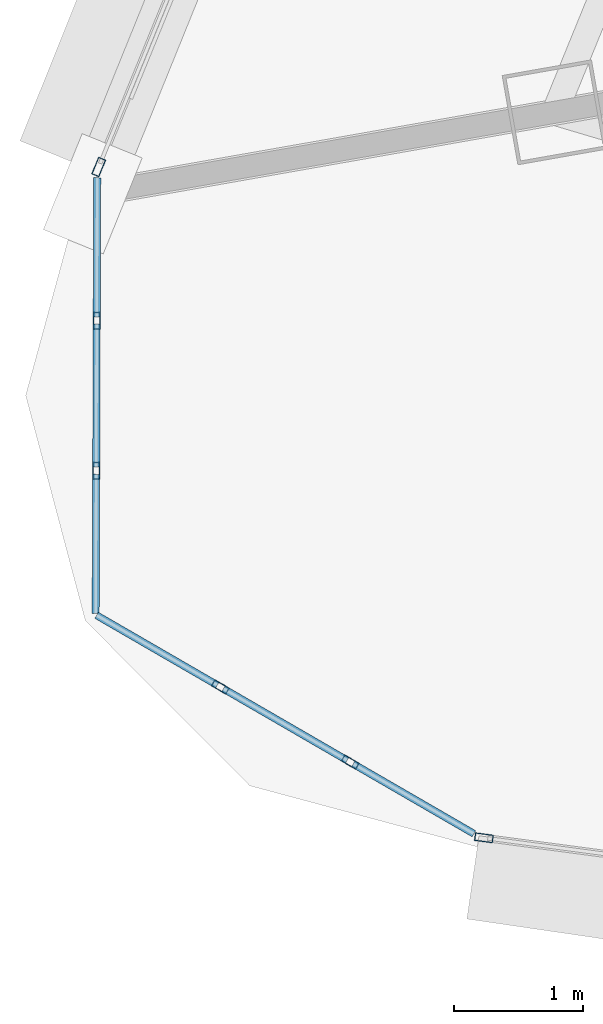
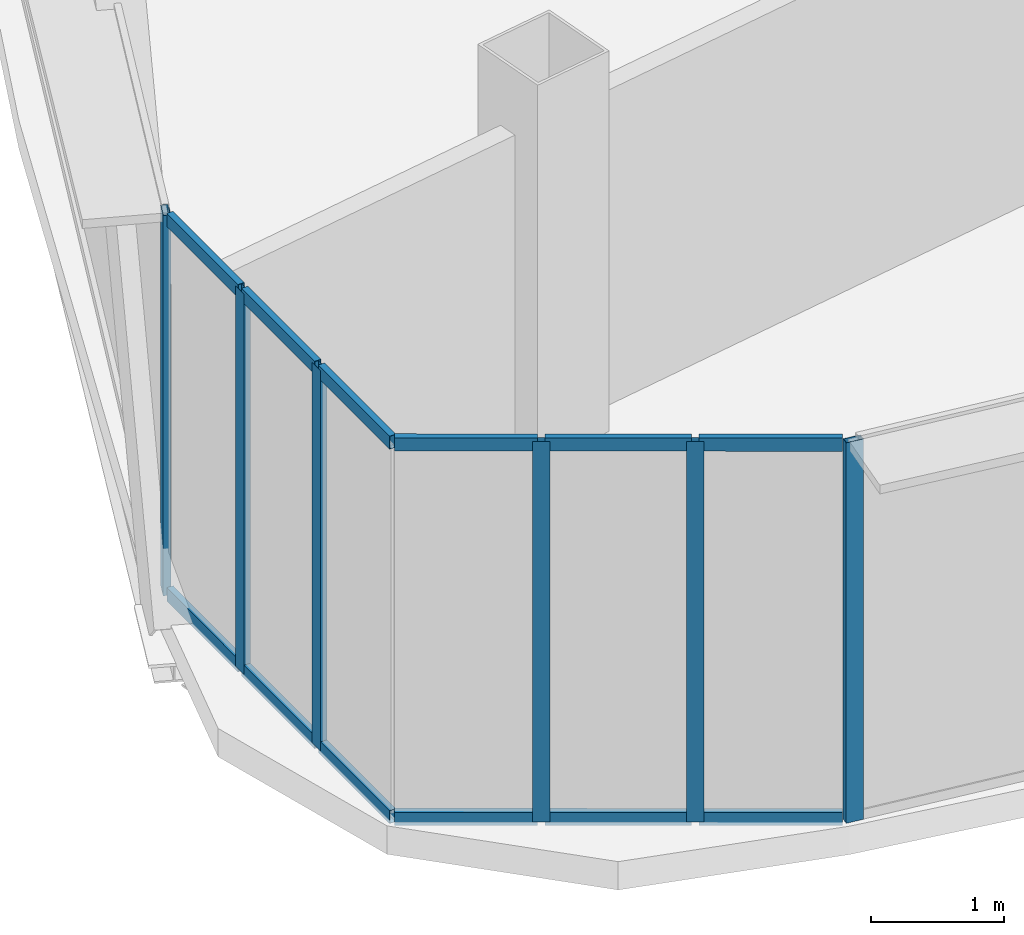
# One storey, part 2 of 28: 18 members, 4 elements without a shape of their own.
"""IFC4 building model written with IfcOpenShell, lengths in metres."""

import ifcopenshell
import ifcopenshell.guid

model = None  # the IFC model being written
_history = None  # IfcOwnerHistory: only IFC2X3 demands one
_inside = {}  # id of a spatial element -> (the spatial element, [elements in it])
_under = {}  # id of a project, library or spatial element -> (it, [spatial elements below it])
_declared = {}  # id of a project -> (the project, [libraries it declares])
_typed = {}  # id of a type object -> (the type object, [elements of that type])
_made_of = {}  # id of a material, layer set ... -> (it, [elements and type objects made of it])


def new_model(schema):
    """Start an empty IFC model of exactly this schema.

    Asked for "IFC4X3", IfcOpenShell would pick the latest addendum, in which some entities
    have other attributes; the version numbers below select the first issue.
    IFC2X3 requires an IfcOwnerHistory on every rooted entity: one is made here for all.
    """
    global model, _history
    if schema == "IFC4X3":
        model = ifcopenshell.file(schema_version=(4, 3, 0, 0))
    else:
        model = ifcopenshell.file(schema=schema)
    _inside.clear()
    _under.clear()
    _declared.clear()
    _typed.clear()
    _made_of.clear()
    _history = None
    if model.schema == "IFC2X3":
        org = make("IfcOrganization", Name="unknown")
        user = make(
            "IfcPersonAndOrganization",
            ThePerson=make("IfcPerson", FamilyName="unknown"),
            TheOrganization=org,
        )
        app = make(
            "IfcApplication",
            ApplicationDeveloper=org,
            Version="unknown",
            ApplicationFullName="unknown",
            ApplicationIdentifier="unknown",
        )
        _history = make(
            "IfcOwnerHistory",
            OwningUser=user,
            OwningApplication=app,
            ChangeAction="ADDED",
            CreationDate=0,
        )
    return model


def make(cls, **values):
    """One entity of the class cls with the attributes given. An attribute that is None is left unset."""
    return model.create_entity(
        cls, **{name: value for name, value in values.items() if value is not None}
    )


def rooted(cls, **values):
    """An entity with a GlobalId (a new one), such as an element, a storey or a relation."""
    return make(cls, GlobalId=ifcopenshell.guid.new(), OwnerHistory=_history, **values)


def si_unit(unit_type, name, prefix=None):
    """IfcSIUnit, for example si_unit("LENGTHUNIT", "METRE", prefix="MILLI")."""
    return make("IfcSIUnit", UnitType=unit_type, Prefix=prefix, Name=name)


def assignment(units):
    """IfcUnitAssignment: the units of a project."""
    return None if units is None else make("IfcUnitAssignment", Units=units)


def point(xyz):
    """IfcCartesianPoint."""
    return None if xyz is None else make("IfcCartesianPoint", Coordinates=xyz)


def direction(xyz):
    """IfcDirection."""
    return None if xyz is None else make("IfcDirection", DirectionRatios=xyz)


def frame(location, z_axis=None, x_axis=None):
    """IfcAxis2Placement3D, a coordinate frame: its origin and axes. An axis left out is left unset."""
    return make(
        "IfcAxis2Placement3D",
        Location=point(location),
        Axis=direction(z_axis),
        RefDirection=direction(x_axis),
    )


def frame_2d(location, x_axis=None):
    """IfcAxis2Placement2D, a coordinate frame in the plane: its origin and x axis."""
    return make(
        "IfcAxis2Placement2D", Location=point(location), RefDirection=direction(x_axis)
    )


def origin():
    """The frame at (0, 0, 0) with its axes left unset."""
    return frame((0.0, 0.0, 0.0))


def origin_2d():
    """The frame at (0, 0) in the plane with its x axis left unset."""
    return frame_2d((0.0, 0.0))


def place(relative_to, where):
    """IfcLocalPlacement: puts the frame where relative to a parent placement (None: the world)."""
    return make(
        "IfcLocalPlacement", PlacementRelTo=relative_to, RelativePlacement=where
    )


def context(
    kind, dimensions, precision=None, world=None, true_north=None, identifier=None
):
    """IfcGeometricRepresentationContext, for example the 3D "Model" context."""
    return make(
        "IfcGeometricRepresentationContext",
        ContextIdentifier=identifier,
        ContextType=kind,
        CoordinateSpaceDimension=dimensions,
        Precision=precision,
        WorldCoordinateSystem=world,
        TrueNorth=true_north,
    )


def subcontext(parent, identifier, kind, view, scale=None):
    """IfcGeometricRepresentationSubContext, for example "Body" below "Model"."""
    return make(
        "IfcGeometricRepresentationSubContext",
        ContextIdentifier=identifier,
        ContextType=kind,
        ParentContext=parent,
        TargetScale=scale,
        TargetView=view,
    )


def project(units=None, contexts=None):
    """IfcProject with its units and contexts."""
    return rooted(
        "IfcProject",
        Name="project",
        RepresentationContexts=contexts,
        UnitsInContext=assignment(units),
    )


def spatial(cls, under=None, at=None, **own):
    """A site, building, storey or space (cls), placed at a placement, below another one or the project."""
    s = rooted(cls, ObjectPlacement=at, **own)
    if under is not None:
        _under.setdefault(under.id(), (under, []))[1].append(s)
    return s


def profile(cls, at=None, kind="AREA", **sizes):
    """A parametric profile (cls). Its sizes go by their IFC names, for example OverallWidth=200.0."""
    return make(cls, ProfileType=kind, Position=at, **sizes)


def hollow_rectangle(**sizes):
    """IfcRectangleHollowProfileDef."""
    return profile("IfcRectangleHollowProfileDef", **sizes)


def extrude(swept, where, along, depth):
    """IfcExtrudedAreaSolid: the profile swept, set in the frame where, extruded along a direction by depth."""
    return make(
        "IfcExtrudedAreaSolid",
        SweptArea=swept,
        Position=where,
        ExtrudedDirection=direction(along),
        Depth=depth,
    )


def shape(context_of_items, identifier, shape_type, items):
    """IfcShapeRepresentation: the items that make up one representation, for example the "Body"."""
    return make(
        "IfcShapeRepresentation",
        ContextOfItems=context_of_items,
        RepresentationIdentifier=identifier,
        RepresentationType=shape_type,
        Items=items,
    )


def source(mapping_origin, context_of_items, identifier, shape_type, items):
    """IfcRepresentationMap: a shape defined once, which mapped items show again and again."""
    return make(
        "IfcRepresentationMap",
        MappingOrigin=mapping_origin,
        MappedRepresentation=shape(context_of_items, identifier, shape_type, items),
    )


def transform(
    local_origin,
    x_axis=None,
    y_axis=None,
    z_axis=None,
    scale=None,
    scale2=None,
    scale3=None,
    uniform=True,
):
    """IfcCartesianTransformationOperator3D, or its non-uniform kind. x_axis, y_axis, z_axis: its Axis1, 2, 3."""
    if uniform:
        return make(
            "IfcCartesianTransformationOperator3D",
            Axis1=direction(x_axis),
            Axis2=direction(y_axis),
            LocalOrigin=point(local_origin),
            Scale=scale,
            Axis3=direction(z_axis),
        )
    return make(
        "IfcCartesianTransformationOperator3DnonUniform",
        Axis1=direction(x_axis),
        Axis2=direction(y_axis),
        LocalOrigin=point(local_origin),
        Scale=scale,
        Axis3=direction(z_axis),
        Scale2=scale2,
        Scale3=scale3,
    )


def mapped(mapping_source, mapping_target):
    """IfcMappedItem: shows the shape of a source again, moved by a transform."""
    return make(
        "IfcMappedItem", MappingSource=mapping_source, MappingTarget=mapping_target
    )


def material(Name=None, Category=None):
    """IfcMaterial."""
    return make("IfcMaterial", Name=Name, Category=Category)


def layer(
    of_material, thickness, ventilated=None, Name=None, Category=None, Priority=None
):
    """IfcMaterialLayer: one layer of a wall or slab, of a material (None: an air gap)."""
    return make(
        "IfcMaterialLayer",
        Material=of_material,
        LayerThickness=thickness,
        IsVentilated=ventilated,
        Name=Name,
        Category=Category,
        Priority=Priority,
    )


def layer_set(layers, Name=None):
    """IfcMaterialLayerSet."""
    return make("IfcMaterialLayerSet", MaterialLayers=layers, LayerSetName=Name)


def material_profile(
    of_material, cross_section, Name=None, Category=None, Priority=None
):
    """IfcMaterialProfile: a cross section and its material."""
    return make(
        "IfcMaterialProfile",
        Name=Name,
        Material=of_material,
        Profile=cross_section,
        Priority=Priority,
        Category=Category,
    )


def profile_set(profiles, Name=None, composite=None):
    """IfcMaterialProfileSet."""
    return make(
        "IfcMaterialProfileSet",
        Name=Name,
        MaterialProfiles=profiles,
        CompositeProfile=composite,
    )


def made_of(thing, what):
    """Note that an element or type object is made of a material, layer set ...; save() writes the relation."""
    if what is not None:
        _made_of.setdefault(what.id(), (what, []))[1].append(thing)
    return thing


def type_object(cls, material=None, **own):
    """A type object (cls), such as IfcWallType, which elements share."""
    return made_of(rooted(cls, **own), material)


def element(
    cls,
    number,
    at=None,
    inside=None,
    cuts=None,
    type_object=None,
    material=None,
    context=None,
    identifier="Body",
    shape_type=None,
    held_by="IfcProductDefinitionShape",
    body=None,
    shapes=None,
    **own,
):
    """One element of the class cls, such as IfcWall. Its Tag is "e" and its number.

    at: its placement. inside: the storey or other place that contains it. cuts: it is an
    opening in that element (IfcRelVoidsElement). A single representation is given by context,
    identifier, shape_type and body (its items); several are given by shapes. held_by: the class
    of the entity that holds the representations. save() writes the other relations.
    """
    e = rooted(cls, Tag="e%d" % number, ObjectPlacement=at, **own)
    if body is not None:
        shapes = [shape(context, identifier, shape_type, body)]
    if shapes is not None:
        e.Representation = make(held_by, Representations=shapes)
    if inside is not None:
        _inside.setdefault(inside.id(), (inside, []))[1].append(e)
    if cuts is not None:
        rooted(
            "IfcRelVoidsElement", RelatingBuildingElement=cuts, RelatedOpeningElement=e
        )
    if type_object is not None:
        _typed.setdefault(type_object.id(), (type_object, []))[1].append(e)
    return made_of(e, material)


def aggregate(whole, parts):
    """IfcRelAggregates: a whole, such as a stair, and the parts it consists of."""
    return rooted("IfcRelAggregates", RelatingObject=whole, RelatedObjects=parts)


def save(model, path):
    """Write the relations noted so far, then the file.

    IfcRelAggregates (storeys below a building ...), IfcRelContainedInSpatialStructure (elements
    in a storey), IfcRelDefinesByType, IfcRelAssociatesMaterial and IfcRelDeclares: one each for
    every whole, place, type object, material and project.
    """
    for whole, parts in _under.values():
        aggregate(whole, parts)
    for where, things in _inside.values():
        rooted(
            "IfcRelContainedInSpatialStructure",
            RelatedElements=things,
            RelatingStructure=where,
        )
    for kind, things in _typed.values():
        rooted("IfcRelDefinesByType", RelatedObjects=things, RelatingType=kind)
    for what, things in _made_of.values():
        rooted("IfcRelAssociatesMaterial", RelatedObjects=things, RelatingMaterial=what)
    for by, libraries in _declared.values():
        rooted("IfcRelDeclares", RelatingContext=by, RelatedDefinitions=libraries)
    model.write(path)


model = new_model("IFC4")

# Units and contexts
model_context = context("Model", 3, precision=1e-05, world=origin(), true_north=direction((0.0, 1.0)))
body_context = subcontext(model_context, "Body", "Model", "MODEL_VIEW")
ifc_project = project(units=[si_unit("LENGTHUNIT", "METRE"), si_unit("AREAUNIT", "SQUARE_METRE"), si_unit("VOLUMEUNIT", "CUBIC_METRE"), si_unit("PLANEANGLEUNIT", "RADIAN"), si_unit("MASSUNIT", "GRAM", prefix="KILO"), si_unit("THERMODYNAMICTEMPERATUREUNIT", "KELVIN"), si_unit("POWERUNIT", "WATT")], contexts=[model_context])

# Site, building, storey
site_placement = place(None, origin())
site = spatial("IfcSite", under=ifc_project, at=site_placement, CompositionType="ELEMENT")
building_placement = place(site_placement, origin())
building = spatial("IfcBuilding", under=site, at=building_placement, Name="Yunzhuo Pagoda Commons", CompositionType="ELEMENT")
storey_placement = place(building_placement, frame((0.0, 0.0, 336.760009765625)))
storey = spatial("IfcBuildingStorey", under=building, at=storey_placement, Name="L84", CompositionType="ELEMENT", Elevation=336.760009765625)

# Curtain wall, member
ifc_material = material(Name="Anodized aluminium 6063-T6", Category="aluminium")
ifc_layer_1 = layer(ifc_material, 0.139892578125)
ifc_layer_set_1 = layer_set([ifc_layer_1], Name="Anodized aluminium 6063-T6")
curtain_wall_type_1 = type_object("IfcCurtainWallType", Name="CW-HI High-Zone Ribbon Curtain Wall", PredefinedType="NOTDEFINED", material=ifc_layer_set_1)
curtain_wall_1_placement = place(storey_placement, origin())
curtain_wall_1 = element("IfcCurtainWall", 1, at=curtain_wall_1_placement, inside=storey, type_object=curtain_wall_type_1, Name="L84 curtain wall CW-L84-F1B1", PredefinedType="NOTDEFINED")
ifc_material_profile_1 = material_profile(ifc_material, hollow_rectangle(XDim=0.06005859375, YDim=0.139892578125, WallThickness=0.00341796875, at=origin_2d()), Name="Anodized aluminium 6063-T6")
ifc_profile_set_1 = profile_set([ifc_material_profile_1], Name="Anodized aluminium 6063-T6")
member_type_1 = type_object("IfcMemberType", Name="CW-HI-M Mullion RHS 140x60x3.5", PredefinedType="MULLION", material=ifc_profile_set_1)
shared_shape_1 = source(origin(), body_context, "Body", "SweptSolid", [
    extrude(hollow_rectangle(XDim=0.06005859375, YDim=0.139892578125, WallThickness=0.00341796875, at=origin_2d()), origin(), (0.0, 0.0, 1.0), 3.489990234375),
])
member_1_placement = place(storey_placement, frame((22.9833984375, 23.781982421875, 0.0), z_axis=(0.0, 0.0, 1.0), x_axis=(0.132068741636, 0.991240559845, 0.0)))
member_1 = element("IfcMember", 2, at=member_1_placement, type_object=member_type_1, Name="CW mullion 1", PredefinedType="MULLION", context=body_context, shape_type="MappedRepresentation", body=[
    mapped(shared_shape_1, transform((0.0, 0.0, 0.0), scale=1.0)),
])
aggregate(curtain_wall_1, [member_1])

curtain_wall_2_placement = place(storey_placement, origin())
curtain_wall_2 = element("IfcCurtainWall", 3, at=curtain_wall_2_placement, inside=storey, type_object=curtain_wall_type_1, Name="L84 curtain wall CW-L84-F3B4", PredefinedType="NOTDEFINED")
member_2_placement = place(storey_placement, frame((20.008544921875, 28.962890625, 0.0), z_axis=(0.0, 0.0, 1.0), x_axis=(0.925729863061, -0.37818543155, 0.0)))
member_2 = element("IfcMember", 4, at=member_2_placement, type_object=member_type_1, Name="CW mullion 2", PredefinedType="MULLION", context=body_context, shape_type="MappedRepresentation", body=[
    mapped(shared_shape_1, transform((0.0, 0.0, 0.0), scale=1.0)),
])
aggregate(curtain_wall_2, [member_2])

# Curtain wall, members
ifc_layer_2 = layer(ifc_material, 0.1298828125)
ifc_layer_set_2 = layer_set([ifc_layer_2], Name="Anodized aluminium 6063-T6")
curtain_wall_type_2 = type_object("IfcCurtainWallType", Name="CW-VTX Rounded Corner Curtain Wall", PredefinedType="NOTDEFINED", material=ifc_layer_set_2)
curtain_wall_3_placement = place(storey_placement, origin())
curtain_wall_3 = element("IfcCurtainWall", 5, at=curtain_wall_3_placement, inside=storey, type_object=curtain_wall_type_2, Name="L84 curtain wall CW-L84-VTX1S1", PredefinedType="NOTDEFINED")
ifc_material_profile_2 = material_profile(ifc_material, hollow_rectangle(XDim=0.054931640625, YDim=0.1298828125, WallThickness=0.00341796875, at=origin_2d()), Name="Anodized aluminium 6063-T6")
ifc_profile_set_2 = profile_set([ifc_material_profile_2], Name="Anodized aluminium 6063-T6")
member_type_2 = type_object("IfcMemberType", Name="CW-VTX-M Mullion RHS 130x55x3.5", PredefinedType="MULLION", material=ifc_profile_set_2)
shared_shape_2 = source(origin(), body_context, "Body", "SweptSolid", [
    extrude(hollow_rectangle(XDim=0.054931640625, YDim=0.1298828125, WallThickness=0.00341796875, at=origin_2d()), origin(), (0.0, 0.0, 1.0), 3.489990234375),
])
member_3_placement = place(storey_placement, frame((19.992919921875, 27.776123046875, 0.0), z_axis=(0.0, 0.0, 1.0), x_axis=(0.999993639375, -0.003566680416, 0.0)))
member_3 = element("IfcMember", 6, at=member_3_placement, type_object=member_type_2, Name="CW mullion 2", PredefinedType="MULLION", context=body_context, shape_type="MappedRepresentation", body=[
    mapped(shared_shape_2, transform((0.0, 0.0, 0.0), scale=1.0)),
])
member_4_placement = place(storey_placement, frame((19.989013671875, 26.617431640625, 0.0), z_axis=(0.0, 0.0, 1.0), x_axis=(0.999993639375, -0.003566680416, 0.0)))
member_4 = element("IfcMember", 7, at=member_4_placement, type_object=member_type_2, Name="CW mullion 3", PredefinedType="MULLION", context=body_context, shape_type="MappedRepresentation", body=[
    mapped(shared_shape_2, transform((0.0, 0.0, 0.0), scale=1.0)),
])

curtain_wall_4_placement = place(storey_placement, origin())
curtain_wall_4 = element("IfcCurtainWall", 8, at=curtain_wall_4_placement, inside=storey, type_object=curtain_wall_type_2, Name="L84 curtain wall CW-L84-VTX1S2", PredefinedType="NOTDEFINED")
member_5_placement = place(storey_placement, frame((20.94775390625, 24.947265625, 0.0), z_axis=(0.0, 0.0, 1.0), x_axis=(0.501028333753, 0.865430880416, 0.0)))
member_5 = element("IfcMember", 9, at=member_5_placement, type_object=member_type_2, Name="CW mullion 2", PredefinedType="MULLION", context=body_context, shape_type="MappedRepresentation", body=[
    mapped(shared_shape_2, transform((0.0, 0.0, 0.0), scale=1.0)),
])
member_6_placement = place(storey_placement, frame((21.95068359375, 24.36669921875, 0.0), z_axis=(0.0, 0.0, 1.0), x_axis=(0.501028333753, 0.865430880416, 0.0)))
member_6 = element("IfcMember", 10, at=member_6_placement, type_object=member_type_2, Name="CW mullion 3", PredefinedType="MULLION", context=body_context, shape_type="MappedRepresentation", body=[
    mapped(shared_shape_2, transform((0.0, 0.0, 0.0), scale=1.0)),
])

# Member
ifc_material_profile_3 = material_profile(ifc_material, hollow_rectangle(XDim=0.054931640625, YDim=0.1201171875, WallThickness=0.00341796875, at=origin_2d()), Name="Anodized aluminium 6063-T6")
ifc_profile_set_3 = profile_set([ifc_material_profile_3], Name="Anodized aluminium 6063-T6")
member_type_3 = type_object("IfcMemberType", Name="CW-VTX-T Transom RHS 120x55x3.5", PredefinedType="USERDEFINED", material=ifc_profile_set_3)
shared_shape_3 = source(origin(), body_context, "Body", "SweptSolid", [
    extrude(hollow_rectangle(XDim=0.054931640625, YDim=0.1201171875, WallThickness=0.00341796875, at=origin_2d()), origin(), (0.0, 0.0, 1.0), 1.076171875),
])
member_7_placement = place(storey_placement, frame((19.996826171875, 28.8798828125, 0.027587890625), z_axis=(-0.003402884109, -0.999994210173, 0.0), x_axis=(0.999994210173, -0.003402884109, 0.0)))
member_7 = element("IfcMember", 11, at=member_7_placement, type_object=member_type_3, Name="CW transom 1.1", ObjectType="TRANSOM", PredefinedType="USERDEFINED", context=body_context, shape_type="MappedRepresentation", body=[
    mapped(shared_shape_3, transform((0.0, 0.0, 0.0), scale=1.0)),
])

member_8_placement = place(storey_placement, frame((19.996826171875, 28.8798828125, 3.46240234375), z_axis=(-0.003402884109, -0.999994210173, 0.0), x_axis=(0.999994210173, -0.003402884109, 0.0)))
member_8 = element("IfcMember", 12, at=member_8_placement, type_object=member_type_3, Name="CW transom 1.2", ObjectType="TRANSOM", PredefinedType="USERDEFINED", context=body_context, shape_type="MappedRepresentation", body=[
    mapped(shared_shape_3, transform((0.0, 0.0, 0.0), scale=1.0)),
])

member_9_placement = place(storey_placement, frame((19.992431640625, 25.500244140625, 0.027587890625), z_axis=(0.865493584374, -0.50092000899, 0.0), x_axis=(0.50092000899, 0.865493584374, 0.0)))
member_9 = element("IfcMember", 13, at=member_9_placement, type_object=member_type_3, Name="CW transom 1.1", ObjectType="TRANSOM", PredefinedType="USERDEFINED", context=body_context, shape_type="MappedRepresentation", body=[
    mapped(shared_shape_3, transform((0.0, 0.0, 0.0), scale=1.0)),
])

member_10_placement = place(storey_placement, frame((19.992431640625, 25.500244140625, 3.46240234375), z_axis=(0.865493584374, -0.50092000899, 0.0), x_axis=(0.50092000899, 0.865493584374, 0.0)))
member_10 = element("IfcMember", 14, at=member_10_placement, type_object=member_type_3, Name="CW transom 1.2", ObjectType="TRANSOM", PredefinedType="USERDEFINED", context=body_context, shape_type="MappedRepresentation", body=[
    mapped(shared_shape_3, transform((0.0, 0.0, 0.0), scale=1.0)),
])

shared_shape_4 = source(origin(), body_context, "Body", "SweptSolid", [
    extrude(hollow_rectangle(XDim=0.054931640625, YDim=0.1201171875, WallThickness=0.00341796875, at=origin_2d()), origin(), (0.0, 0.0, 1.0), 1.103759765625),
])
member_11_placement = place(storey_placement, frame((19.992919921875, 27.74853515625, 0.027587890625), z_axis=(-0.003539017873, -0.999993737657, 0.0), x_axis=(0.999993737657, -0.003539017873, 0.0)))
member_11 = element("IfcMember", 15, at=member_11_placement, type_object=member_type_3, Name="CW transom 2.1", ObjectType="TRANSOM", PredefinedType="USERDEFINED", context=body_context, shape_type="MappedRepresentation", body=[
    mapped(shared_shape_4, transform((0.0, 0.0, 0.0), scale=1.0)),
])

member_12_placement = place(storey_placement, frame((19.992919921875, 27.74853515625, 3.46240234375), z_axis=(-0.003539017873, -0.999993737657, 0.0), x_axis=(0.999993737657, -0.003539017873, 0.0)))
member_12 = element("IfcMember", 16, at=member_12_placement, type_object=member_type_3, Name="CW transom 2.2", ObjectType="TRANSOM", PredefinedType="USERDEFINED", context=body_context, shape_type="MappedRepresentation", body=[
    mapped(shared_shape_4, transform((0.0, 0.0, 0.0), scale=1.0)),
])

member_13_placement = place(storey_placement, frame((20.9716796875, 24.93359375, 0.027587890625), z_axis=(0.865315207764, -0.501228083025, 0.0), x_axis=(0.501228083025, 0.865315207764, 0.0)))
member_13 = element("IfcMember", 17, at=member_13_placement, type_object=member_type_3, Name="CW transom 2.1", ObjectType="TRANSOM", PredefinedType="USERDEFINED", context=body_context, shape_type="MappedRepresentation", body=[
    mapped(shared_shape_4, transform((0.0, 0.0, 0.0), scale=1.0)),
])

member_14_placement = place(storey_placement, frame((20.9716796875, 24.93359375, 3.46240234375), z_axis=(0.865315207764, -0.501228083025, 0.0), x_axis=(0.501228083025, 0.865315207764, 0.0)))
member_14 = element("IfcMember", 18, at=member_14_placement, type_object=member_type_3, Name="CW transom 2.2", ObjectType="TRANSOM", PredefinedType="USERDEFINED", context=body_context, shape_type="MappedRepresentation", body=[
    mapped(shared_shape_4, transform((0.0, 0.0, 0.0), scale=1.0)),
])

shared_shape_5 = source(origin(), body_context, "Body", "SweptSolid", [
    extrude(hollow_rectangle(XDim=0.054931640625, YDim=0.1201171875, WallThickness=0.00341796875, at=origin_2d()), origin(), (0.0, 0.0, 1.0), 1.076416015625),
])
member_15_placement = place(storey_placement, frame((19.989013671875, 26.58984375, 0.027587890625), z_axis=(-0.003855720942, -0.99999256668, 0.0), x_axis=(0.99999256668, -0.003855720942, 0.0)))
member_15 = element("IfcMember", 19, at=member_15_placement, type_object=member_type_3, Name="CW transom 3.1", ObjectType="TRANSOM", PredefinedType="USERDEFINED", context=body_context, shape_type="MappedRepresentation", body=[
    mapped(shared_shape_5, transform((0.0, 0.0, 0.0), scale=1.0)),
])

member_16_placement = place(storey_placement, frame((19.989013671875, 26.58984375, 3.46240234375), z_axis=(-0.003855720942, -0.99999256668, 0.0), x_axis=(0.99999256668, -0.003855720942, 0.0)))
member_16 = element("IfcMember", 20, at=member_16_placement, type_object=member_type_3, Name="CW transom 3.2", ObjectType="TRANSOM", PredefinedType="USERDEFINED", context=body_context, shape_type="MappedRepresentation", body=[
    mapped(shared_shape_5, transform((0.0, 0.0, 0.0), scale=1.0)),
])

aggregate(curtain_wall_3, [member_3, member_4, member_7, member_8, member_11, member_12, member_15, member_16])

member_17_placement = place(storey_placement, frame((21.974365234375, 24.352783203125, 0.027587890625), z_axis=(0.865452163497, -0.500991569488, 0.0), x_axis=(0.500991569488, 0.865452163497, 0.0)))
member_17 = element("IfcMember", 21, at=member_17_placement, type_object=member_type_3, Name="CW transom 3.1", ObjectType="TRANSOM", PredefinedType="USERDEFINED", context=body_context, shape_type="MappedRepresentation", body=[
    mapped(shared_shape_5, transform((0.0, 0.0, 0.0), scale=1.0)),
])

member_18_placement = place(storey_placement, frame((21.974365234375, 24.352783203125, 3.46240234375), z_axis=(0.865452163497, -0.500991569488, 0.0), x_axis=(0.500991569488, 0.865452163497, 0.0)))
member_18 = element("IfcMember", 22, at=member_18_placement, type_object=member_type_3, Name="CW transom 3.2", ObjectType="TRANSOM", PredefinedType="USERDEFINED", context=body_context, shape_type="MappedRepresentation", body=[
    mapped(shared_shape_5, transform((0.0, 0.0, 0.0), scale=1.0)),
])

aggregate(curtain_wall_4, [member_5, member_6, member_9, member_10, member_13, member_14, member_17, member_18])

save(model, "model.ifc")
